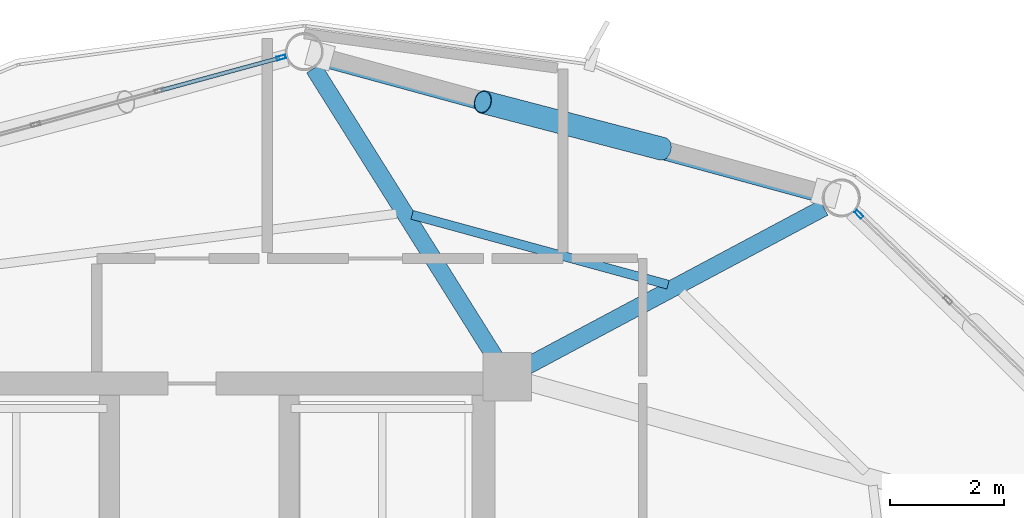
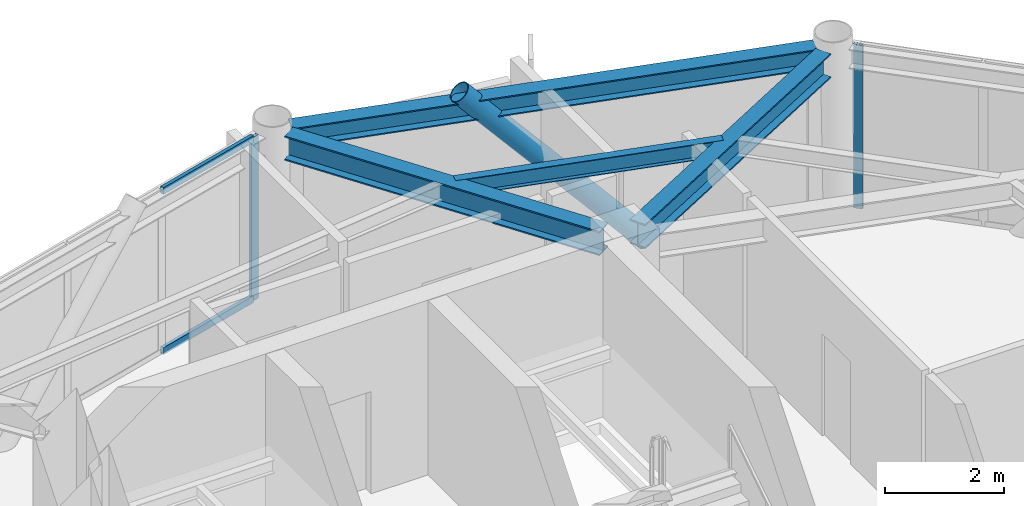
# One storey, part 18 of 26: 5 members, 4 beams, 2 elements without a shape of their own.
"""IFC4 building model written with IfcOpenShell, lengths in metres."""

from ifc_helpers import new_model, si_unit, direction, frame, origin, origin_2d, place, context, subcontext, project, spatial, hollow_rectangle, hollow_circle, i_section, extrude, material, layer, layer_set, material_profile, profile_set, type_object, element, aggregate, save


model = new_model("IFC4")

# Units and contexts
model_context = context("Model", 3, precision=1e-05, world=origin(), true_north=direction((0.0, 1.0)))
body_context = subcontext(model_context, "Body", "Model", "MODEL_VIEW")
ifc_project = project(units=[si_unit("LENGTHUNIT", "METRE"), si_unit("AREAUNIT", "SQUARE_METRE"), si_unit("VOLUMEUNIT", "CUBIC_METRE"), si_unit("PLANEANGLEUNIT", "RADIAN"), si_unit("MASSUNIT", "GRAM", prefix="KILO")], contexts=[model_context])

# Site, building, storey
site_placement = place(None, origin())
site = spatial("IfcSite", under=ifc_project, at=site_placement, CompositionType="ELEMENT")
building_placement = place(site_placement, origin())
building = spatial("IfcBuilding", under=site, at=building_placement, Name="Varnakorn Sky Granary", CompositionType="ELEMENT")
storey_placement = place(building_placement, frame((0.0, 0.0, 218.39990234375)))
storey = spatial("IfcBuildingStorey", under=building, at=storey_placement, Name="L55", CompositionType="ELEMENT", Elevation=218.39990234375)

# Beams
ifc_material_1 = material(Name="Steel S355JR", Category="steel")
ifc_material_profile_1 = material_profile(ifc_material_1, i_section(OverallWidth=0.300048828125, OverallDepth=0.5, WebThickness=0.014404296875, FlangeThickness=0.028076171875, at=origin_2d()), Name="HE 500 B")
ifc_profile_set_1 = profile_set([ifc_material_profile_1], Name="Steel S355JR")
beam_type_1 = type_object("IfcBeamType", Name="BM-RAD-Z4", PredefinedType="BEAM", material=ifc_profile_set_1)
beam_1_placement = place(storey_placement, frame((8.77734375, 12.810791015625, 3.110107421875), z_axis=(0.882251099487, 0.47077913872, 0.0), x_axis=(-0.47077913872, 0.882251099487, 0.0)))
element("IfcBeam", 1, at=beam_1_placement, inside=storey, type_object=beam_type_1, Name="Radial Floor Girder RG03 L55", PredefinedType="BEAM", context=body_context, shape_type="SweptSolid", body=[
    extrude(i_section(OverallWidth=0.300048828125, OverallDepth=0.5, WebThickness=0.014404296875, FlangeThickness=0.028076171875, at=origin_2d()), origin(), (0.0, 0.0, 1.0), 5.9072265625),
])
beam_2_placement = place(storey_placement, frame((8.204833984375, 12.963134765625, 3.110107421875), z_axis=(-0.531491071064, 0.847063894508, 0.0), x_axis=(-0.847063894508, -0.531491071064, 0.0)))
element("IfcBeam", 2, at=beam_2_placement, inside=storey, type_object=beam_type_1, Name="Radial Floor Girder RG04 L55", PredefinedType="BEAM", context=body_context, shape_type="SweptSolid", body=[
    extrude(i_section(OverallWidth=0.300048828125, OverallDepth=0.5, WebThickness=0.014404296875, FlangeThickness=0.028076171875, at=origin_2d()), origin(), (0.0, 0.0, 1.0), 5.997314453125),
])
ifc_material_profile_2 = material_profile(ifc_material_1, i_section(OverallWidth=0.159912109375, OverallDepth=0.330078125, WebThickness=0.007568359375, FlangeThickness=0.011474609375, at=origin_2d()), Name="IPE 330")
ifc_profile_set_2 = profile_set([ifc_material_profile_2], Name="Steel S355JR")
beam_type_2 = type_object("IfcBeamType", Name="BM-SEC-Z4", PredefinedType="BEAM", material=ifc_profile_set_2)
beam_3_placement = place(storey_placement, frame((11.248046875, 14.238037109375, 3.195068359375), z_axis=(-0.964738462794, 0.263210369106, 0.0), x_axis=(-0.263210369106, -0.964738462794, 0.0)))
element("IfcBeam", 3, at=beam_3_placement, inside=storey, type_object=beam_type_2, Name="Secondary Floor Chord Beam MSB03 L55", PredefinedType="BEAM", context=body_context, shape_type="SweptSolid", body=[
    extrude(i_section(OverallWidth=0.159912109375, OverallDepth=0.330078125, WebThickness=0.007568359375, FlangeThickness=0.011474609375, at=origin_2d()), origin(), (0.0, 0.0, 1.0), 4.66650390625),
])
ifc_material_profile_3 = material_profile(ifc_material_1, i_section(OverallWidth=0.300048828125, OverallDepth=0.39990234375, WebThickness=0.013427734375, FlangeThickness=0.02392578125, at=origin_2d()), Name="HE 400 B")
ifc_profile_set_3 = profile_set([ifc_material_profile_3], Name="Steel S355JR")
beam_type_3 = type_object("IfcBeamType", Name="BM-SPD-Z4", PredefinedType="SPANDREL", material=ifc_profile_set_3)
beam_4_placement = place(storey_placement, frame((13.963134765625, 15.822998046875, 3.16015625), z_axis=(-0.964721853725, 0.263271238357, 0.0), x_axis=(-0.263271238357, -0.964721853725, 0.0)))
element("IfcBeam", 4, at=beam_4_placement, inside=storey, type_object=beam_type_3, Name="Perimeter Spandrel Ring Beam RB03 L55", PredefinedType="SPANDREL", context=body_context, shape_type="SweptSolid", body=[
    extrude(i_section(OverallWidth=0.300048828125, OverallDepth=0.39990234375, WebThickness=0.013427734375, FlangeThickness=0.02392578125, at=origin_2d()), origin(), (0.0, 0.0, 1.0), 9.13134765625),
])

# Curtain wall, member
ifc_material_2 = material(Name="Anodised Bronze Aluminium Alloy 6063-T6", Category="aluminium")
ifc_layer = layer(ifc_material_2, 0.169921875, Name="Anodised Bronze Aluminium Alloy 6063-T6")
ifc_layer_set = layer_set([ifc_layer], Name="Anodised Bronze Aluminium Alloy 6063-T6")
curtain_wall_type = type_object("IfcCurtainWallType", Name="CW-LAB-1", PredefinedType="USERDEFINED", material=ifc_layer_set)
curtain_wall_1_placement = place(storey_placement, origin())
curtain_wall_1 = element("IfcCurtainWall", 5, at=curtain_wall_1_placement, inside=storey, type_object=curtain_wall_type, Name="Unitised Curtain Wall CW5 CW-L55-B02", ObjectType="CURTAIN WALL", PredefinedType="USERDEFINED")
ifc_material_profile_4 = material_profile(ifc_material_2, hollow_rectangle(XDim=0.06494140625, YDim=0.159912109375, WallThickness=0.00341796875, at=origin_2d()), Name="ALU MULL 65x160")
ifc_profile_set_4 = profile_set([ifc_material_profile_4], Name="Anodised Bronze Aluminium Alloy 6063-T6")
member_type_1 = type_object("IfcMemberType", Name="CW-LAB-1-MULL", PredefinedType="MULLION", material=ifc_profile_set_4)
member_1_placement = place(storey_placement, frame((14.605224609375, 15.476318359375, 0.0), z_axis=(0.0, 0.0, 1.0), x_axis=(0.693784930795, 0.72018224763, 0.0)))
member_1 = element("IfcMember", 6, at=member_1_placement, type_object=member_type_1, Name="CW5 mullion 1", PredefinedType="MULLION", context=body_context, shape_type="SweptSolid", body=[
    extrude(hollow_rectangle(XDim=0.06494140625, YDim=0.159912109375, WallThickness=0.00341796875, at=origin_2d()), origin(), (0.0, 0.0, 1.0), 3.360107421875),
])
aggregate(curtain_wall_1, [member_1])

# Curtain wall, members
curtain_wall_2_placement = place(storey_placement, origin())
curtain_wall_2 = element("IfcCurtainWall", 7, at=curtain_wall_2_placement, inside=storey, type_object=curtain_wall_type, Name="Unitised Curtain Wall CW5 CW-L55-B04", ObjectType="CURTAIN WALL", PredefinedType="USERDEFINED")
member_2_placement = place(storey_placement, frame((4.4423828125, 18.23291015625, 0.0), z_axis=(0.0, 0.0, 1.0), x_axis=(-0.262829253294, 0.964842362053, 0.0)))
member_2 = element("IfcMember", 8, at=member_2_placement, type_object=member_type_1, Name="CW5 mullion 5", PredefinedType="MULLION", context=body_context, shape_type="SweptSolid", body=[
    extrude(hollow_rectangle(XDim=0.06494140625, YDim=0.159912109375, WallThickness=0.00341796875, at=origin_2d()), origin(), (0.0, 0.0, 1.0), 3.360107421875),
])
ifc_material_profile_5 = material_profile(ifc_material_2, hollow_rectangle(XDim=0.070068359375, YDim=0.139892578125, WallThickness=0.00341796875, at=origin_2d()), Name="ALU TRAN 70x140")
ifc_profile_set_5 = profile_set([ifc_material_profile_5], Name="Anodised Bronze Aluminium Alloy 6063-T6")
member_type_2 = type_object("IfcMemberType", Name="CW-LAB-1-TRAN", PredefinedType="USERDEFINED", material=ifc_profile_set_5)
member_3_placement = place(storey_placement, frame((2.33056640625, 17.65771484375, 0.03515625), z_axis=(0.964847389782, 0.262810795879, 0.0), x_axis=(-0.262810795879, 0.964847389782, 0.0)))
member_3 = element("IfcMember", 9, at=member_3_placement, type_object=member_type_2, Name="CW5 transom 4.1", ObjectType="TRANSOM", PredefinedType="USERDEFINED", context=body_context, shape_type="SweptSolid", body=[
    extrude(hollow_rectangle(XDim=0.070068359375, YDim=0.139892578125, WallThickness=0.00341796875, at=origin_2d()), origin(), (0.0, 0.0, 1.0), 2.156005859375),
])
member_4_placement = place(storey_placement, frame((2.33056640625, 17.65771484375, 3.3251953125), z_axis=(0.964847389782, 0.262810795879, 0.0), x_axis=(-0.262810795879, 0.964847389782, 0.0)))
member_4 = element("IfcMember", 10, at=member_4_placement, type_object=member_type_2, Name="CW5 transom 4.2", ObjectType="TRANSOM", PredefinedType="USERDEFINED", context=body_context, shape_type="SweptSolid", body=[
    extrude(hollow_rectangle(XDim=0.070068359375, YDim=0.139892578125, WallThickness=0.00341796875, at=origin_2d()), origin(), (0.0, 0.0, 1.0), 2.156005859375),
])
aggregate(curtain_wall_2, [member_2, member_3, member_4])

# Member
ifc_material_3 = material(Name="Steel S460M", Category="steel")
ifc_material_profile_6 = material_profile(ifc_material_3, hollow_circle(Radius=0.203125, WallThickness=0.01611328125, at=origin_2d()), Name="CHS 406.4x16")
ifc_profile_set_6 = profile_set([ifc_material_profile_6], Name="Steel S460M")
member_type_3 = type_object("IfcMemberType", Name="MB-DIAG-T4", PredefinedType="BRACE", material=ifc_profile_set_6)
member_5_placement = place(storey_placement, frame((11.150634765625, 16.627685546875, -0.1298828125), z_axis=(-0.648326857945, 0.169315940816, 0.74229670446), x_axis=(-0.252683453774, -0.967549002474, 0.0)))
element("IfcMember", 11, at=member_5_placement, inside=storey, type_object=member_type_3, Name="Perimeter CHS Diagrid Brace DG03 L55", PredefinedType="BRACE", context=body_context, shape_type="SweptSolid", body=[
    extrude(hollow_circle(Radius=0.203125, WallThickness=0.01611328125, at=origin_2d()), origin(), (0.0, 0.0, 1.0), 4.87646484375),
])

save(model, "model.ifc")
